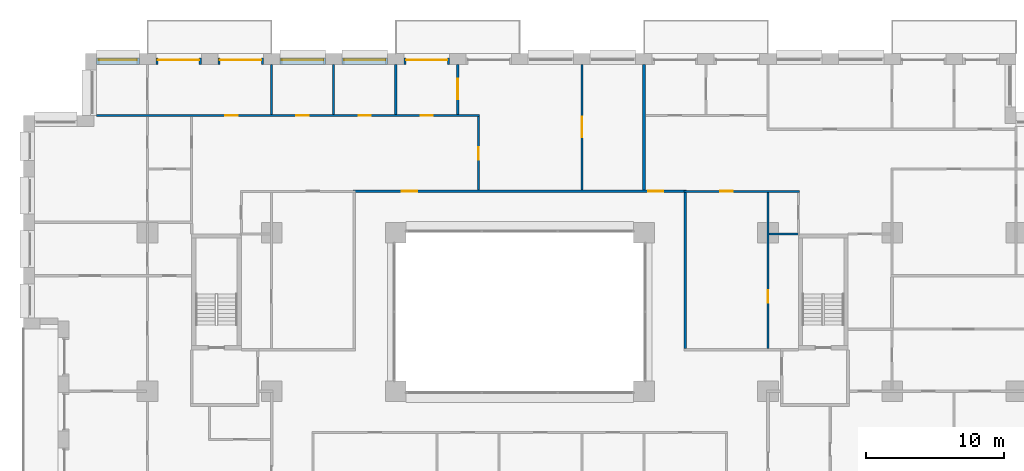
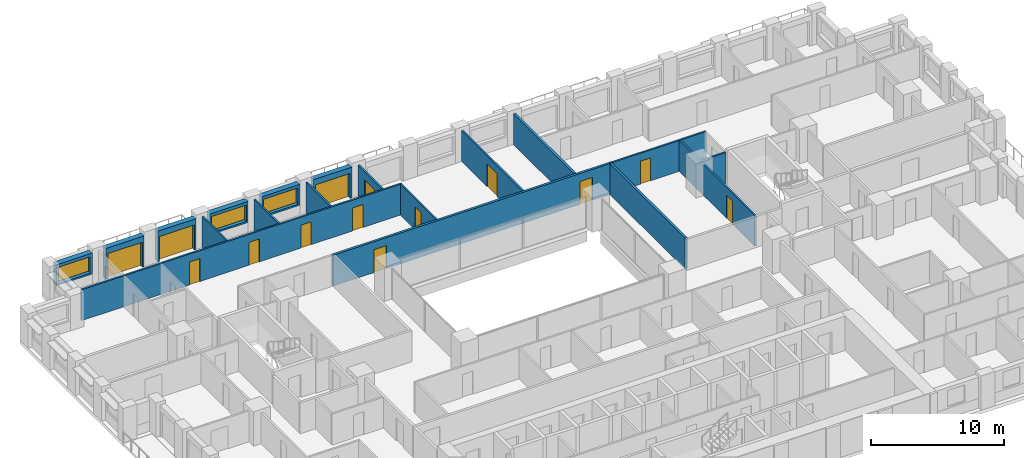
# One storey, part 15 of 21: 19 walls, 14 doors, 3 windows, 17 openings.
"""IFC4 building model written with IfcOpenShell, lengths in metres."""

from ifc_helpers import new_model, si_unit, direction, frame, frame_2d, origin, place, context, subcontext, project, spatial, rectangle, extrude, material, layer, layer_set, type_object, element, fill, save


model = new_model("IFC4")

# Units and contexts
model_context = context("Model", 3, precision=1e-05, world=origin(), true_north=direction((0.0, 1.0)))
body_context = subcontext(model_context, "Body", "Model", "MODEL_VIEW")
ifc_project = project(units=[si_unit("LENGTHUNIT", "METRE"), si_unit("AREAUNIT", "SQUARE_METRE"), si_unit("VOLUMEUNIT", "CUBIC_METRE"), si_unit("PLANEANGLEUNIT", "RADIAN"), si_unit("MASSUNIT", "GRAM", prefix="KILO")], contexts=[model_context])

# Site, building, storey
site_placement = place(None, origin())
site = spatial("IfcSite", under=ifc_project, at=site_placement, CompositionType="ELEMENT")
building_placement = place(site_placement, origin())
building = spatial("IfcBuilding", under=site, at=building_placement, Name="Brigalow Station Residences", CompositionType="ELEMENT")
storey_placement = place(building_placement, frame((0.0, 0.0, 47.85009765625)))
storey = spatial("IfcBuildingStorey", under=building, at=storey_placement, Name="L13", CompositionType="ELEMENT", Elevation=47.85009765625)

# Wall, opening, door
ifc_material_1 = material(Name="Clay brick masonry", Category="masonry")
ifc_layer_1 = layer(ifc_material_1, 0.449951171875)
ifc_layer_set_1 = layer_set([ifc_layer_1], Name="BRICK INFILL WALL 450")
wall_type_1 = type_object("IfcWallType", Name="BRICK INFILL WALL 450", PredefinedType="SOLIDWALL", material=ifc_layer_set_1)
wall_1_placement = place(storey_placement, frame((30.89990234375, 47.925048828125, 0.0), z_axis=(0.0, 0.0, 1.0), x_axis=(-1.0, 0.0, 0.0)))
wall_1 = element("IfcWall", 1, at=wall_1_placement, inside=storey, type_object=wall_type_1, Name="L13/ewall/W-L13-34", PredefinedType="SOLIDWALL", context=body_context, shape_type="SweptSolid", body=[
    extrude(rectangle(XDim=3.2998046875, YDim=0.449951171875, at=frame_2d((1.64990234375, 0.0))), origin(), (0.0, 0.0, 1.0), 2.829833984375),
])
opening_1_placement = place(wall_1_placement, frame((0.14990234375, 0.0, 0.0)))
opening_1 = element("IfcOpeningElement", 2, at=opening_1_placement, cuts=wall_1, Name="Opening D-B3000", PredefinedType="OPENING", context=body_context, shape_type="SweptSolid", body=[
    extrude(rectangle(XDim=3.0, YDim=2.300048828125, at=frame_2d((1.5, 1.14990234375))), frame((0.0, 0.23486328125, 0.0), z_axis=(0.0, -1.0, 0.0), x_axis=(1.0, 0.0, 0.0)), (0.0, 0.0, 1.0), 0.469970703125),
])
ifc_material_2 = material(Name="Anodised aluminium frame with double glazing", Category="aluminium")
door_type_1 = type_object("IfcDoorType", Name="BALCONY SLIDING DOOR 3000x2300", OperationType="SLIDING_TO_LEFT", PredefinedType="DOOR", material=ifc_material_2)
door_1_placement = place(opening_1_placement, origin())
door_1 = element("IfcDoor", 3, at=door_1_placement, inside=storey, type_object=door_type_1, Name="L13/balcony-door/W-L13-34", OperationType="SLIDING_TO_LEFT", OverallHeight=2.300048828125, OverallWidth=3.0, PredefinedType="DOOR", context=body_context, shape_type="SweptSolid", body=[
    extrude(rectangle(XDim=3.0, YDim=2.300048828125, at=frame_2d((1.5, 1.14990234375))), frame((0.0, -0.06982421875, 0.0), z_axis=(0.0, -1.0, 0.0), x_axis=(1.0, 0.0, 0.0)), (0.0, 0.0, 1.0), 0.050048828125),
])
fill(opening_1, door_1)

# Wall, opening, window
wall_2_placement = place(storey_placement, frame((26.39990234375, 47.925048828125, 0.89990234375), z_axis=(0.0, 0.0, 1.0), x_axis=(-1.0, 0.0, 0.0)))
wall_2 = element("IfcWall", 4, at=wall_2_placement, inside=storey, type_object=wall_type_1, Name="L13/ewall/W-L13-35", PredefinedType="SOLIDWALL", context=body_context, shape_type="SweptSolid", body=[
    extrude(rectangle(XDim=3.2998046875, YDim=0.449951171875, at=frame_2d((1.64990234375, 0.0))), origin(), (0.0, 0.0, 1.0), 1.929931640625),
])
opening_2_placement = place(wall_2_placement, frame((0.14990234375, 0.0, 0.14990234375)))
opening_2 = element("IfcOpeningElement", 5, at=opening_2_placement, cuts=wall_2, Name="Opening WT-2", PredefinedType="OPENING", context=body_context, shape_type="SweptSolid", body=[
    extrude(rectangle(XDim=3.0, YDim=1.5, at=frame_2d((1.5, 0.75))), frame((0.0, 0.23486328125, 0.0), z_axis=(0.0, -1.0, 0.0), x_axis=(1.0, 0.0, 0.0)), (0.0, 0.0, 1.0), 0.469970703125),
])
ifc_material_3 = material(Name="Anodised aluminium frame with double glazing", Category="aluminium")
window_type_1 = type_object("IfcWindowType", Name="WINDOW 3000x1500", PartitioningType="SINGLE_PANEL", PredefinedType="WINDOW", material=ifc_material_3)
window_1_placement = place(opening_2_placement, origin())
window_1 = element("IfcWindow", 6, at=window_1_placement, inside=storey, type_object=window_type_1, Name="L13/window/W-L13-35", OverallHeight=1.5, OverallWidth=3.0, PartitioningType="SINGLE_PANEL", PredefinedType="WINDOW", context=body_context, shape_type="SweptSolid", body=[
    extrude(rectangle(XDim=3.0, YDim=1.5, at=frame_2d((1.5, 0.75))), frame((0.0, -0.06494140625, 0.0), z_axis=(0.0, -1.0, 0.0), x_axis=(1.0, 0.0, 0.0)), (0.0, 0.0, 1.0), 0.06005859375),
])
fill(opening_2, window_1)

wall_3_placement = place(storey_placement, frame((21.89990234375, 47.925048828125, 0.89990234375), z_axis=(0.0, 0.0, 1.0), x_axis=(-1.0, 0.0, 0.0)))
wall_3 = element("IfcWall", 7, at=wall_3_placement, inside=storey, type_object=wall_type_1, Name="L13/ewall/W-L13-36", PredefinedType="SOLIDWALL", context=body_context, shape_type="SweptSolid", body=[
    extrude(rectangle(XDim=3.2998046875, YDim=0.449951171875, at=frame_2d((1.64990234375, 0.0))), origin(), (0.0, 0.0, 1.0), 1.929931640625),
])
opening_3_placement = place(wall_3_placement, frame((0.14990234375, 0.0, 0.14990234375)))
opening_3 = element("IfcOpeningElement", 8, at=opening_3_placement, cuts=wall_3, Name="Opening WT-2", PredefinedType="OPENING", context=body_context, shape_type="SweptSolid", body=[
    extrude(rectangle(XDim=3.0, YDim=1.5, at=frame_2d((1.5, 0.75))), frame((0.0, 0.23486328125, 0.0), z_axis=(0.0, -1.0, 0.0), x_axis=(1.0, 0.0, 0.0)), (0.0, 0.0, 1.0), 0.469970703125),
])
window_2_placement = place(opening_3_placement, origin())
window_2 = element("IfcWindow", 9, at=window_2_placement, inside=storey, type_object=window_type_1, Name="L13/window/W-L13-36", OverallHeight=1.5, OverallWidth=3.0, PartitioningType="SINGLE_PANEL", PredefinedType="WINDOW", context=body_context, shape_type="SweptSolid", body=[
    extrude(rectangle(XDim=3.0, YDim=1.5, at=frame_2d((1.5, 0.75))), frame((0.0, -0.06494140625, 0.0), z_axis=(0.0, -1.0, 0.0), x_axis=(1.0, 0.0, 0.0)), (0.0, 0.0, 1.0), 0.06005859375),
])
fill(opening_3, window_2)

# Wall, opening, door
wall_4_placement = place(storey_placement, frame((17.39990234375, 47.925048828125, 0.0), z_axis=(0.0, 0.0, 1.0), x_axis=(-1.0, 0.0, 0.0)))
wall_4 = element("IfcWall", 10, at=wall_4_placement, inside=storey, type_object=wall_type_1, Name="L13/ewall/W-L13-37", PredefinedType="SOLIDWALL", context=body_context, shape_type="SweptSolid", body=[
    extrude(rectangle(XDim=3.2998046875, YDim=0.449951171875, at=frame_2d((1.64990234375, 0.0))), origin(), (0.0, 0.0, 1.0), 2.829833984375),
])
opening_4_placement = place(wall_4_placement, frame((0.14990234375, 0.0, 0.0)))
opening_4 = element("IfcOpeningElement", 11, at=opening_4_placement, cuts=wall_4, Name="Opening D-B3000", PredefinedType="OPENING", context=body_context, shape_type="SweptSolid", body=[
    extrude(rectangle(XDim=3.0, YDim=2.300048828125, at=frame_2d((1.5, 1.14990234375))), frame((0.0, 0.23486328125, 0.0), z_axis=(0.0, -1.0, 0.0), x_axis=(1.0, 0.0, 0.0)), (0.0, 0.0, 1.0), 0.469970703125),
])
door_2_placement = place(opening_4_placement, origin())
door_2 = element("IfcDoor", 12, at=door_2_placement, inside=storey, type_object=door_type_1, Name="L13/balcony-door/W-L13-37", OperationType="SLIDING_TO_LEFT", OverallHeight=2.300048828125, OverallWidth=3.0, PredefinedType="DOOR", context=body_context, shape_type="SweptSolid", body=[
    extrude(rectangle(XDim=3.0, YDim=2.300048828125, at=frame_2d((1.5, 1.14990234375))), frame((0.0, -0.06982421875, 0.0), z_axis=(0.0, -1.0, 0.0), x_axis=(1.0, 0.0, 0.0)), (0.0, 0.0, 1.0), 0.050048828125),
])
fill(opening_4, door_2)

wall_5_placement = place(storey_placement, frame((12.89990234375, 47.925048828125, 0.0), z_axis=(0.0, 0.0, 1.0), x_axis=(-1.0, 0.0, 0.0)))
wall_5 = element("IfcWall", 13, at=wall_5_placement, inside=storey, type_object=wall_type_1, Name="L13/ewall/W-L13-38", PredefinedType="SOLIDWALL", context=body_context, shape_type="SweptSolid", body=[
    extrude(rectangle(XDim=3.2998046875, YDim=0.449951171875, at=frame_2d((1.64990234375, 0.0))), origin(), (0.0, 0.0, 1.0), 2.829833984375),
])
opening_5_placement = place(wall_5_placement, frame((0.14990234375, 0.0, 0.0)))
opening_5 = element("IfcOpeningElement", 14, at=opening_5_placement, cuts=wall_5, Name="Opening D-B3000", PredefinedType="OPENING", context=body_context, shape_type="SweptSolid", body=[
    extrude(rectangle(XDim=3.0, YDim=2.300048828125, at=frame_2d((1.5, 1.14990234375))), frame((0.0, 0.23486328125, 0.0), z_axis=(0.0, -1.0, 0.0), x_axis=(1.0, 0.0, 0.0)), (0.0, 0.0, 1.0), 0.469970703125),
])
door_3_placement = place(opening_5_placement, origin())
door_3 = element("IfcDoor", 15, at=door_3_placement, inside=storey, type_object=door_type_1, Name="L13/balcony-door/W-L13-38", OperationType="SLIDING_TO_LEFT", OverallHeight=2.300048828125, OverallWidth=3.0, PredefinedType="DOOR", context=body_context, shape_type="SweptSolid", body=[
    extrude(rectangle(XDim=3.0, YDim=2.300048828125, at=frame_2d((1.5, 1.14990234375))), frame((0.0, -0.06982421875, 0.0), z_axis=(0.0, -1.0, 0.0), x_axis=(1.0, 0.0, 0.0)), (0.0, 0.0, 1.0), 0.050048828125),
])
fill(opening_5, door_3)

# Wall, opening, window
wall_6_placement = place(storey_placement, frame((8.39990234375, 47.925048828125, 0.89990234375), z_axis=(0.0, 0.0, 1.0), x_axis=(-1.0, 0.0, 0.0)))
wall_6 = element("IfcWall", 16, at=wall_6_placement, inside=storey, type_object=wall_type_1, Name="L13/ewall/W-L13-39", PredefinedType="SOLIDWALL", context=body_context, shape_type="SweptSolid", body=[
    extrude(rectangle(XDim=3.099853515625, YDim=0.449951171875, at=frame_2d((1.5498046875, 0.0))), origin(), (0.0, 0.0, 1.0), 1.929931640625),
])
opening_6_placement = place(wall_6_placement, frame((0.175048828125, 0.0, 0.14990234375)))
opening_6 = element("IfcOpeningElement", 17, at=opening_6_placement, cuts=wall_6, Name="Opening WT-3", PredefinedType="OPENING", context=body_context, shape_type="SweptSolid", body=[
    extrude(rectangle(XDim=2.75, YDim=1.5, at=frame_2d((1.375, 0.75))), frame((0.0, 0.23486328125, 0.0), z_axis=(0.0, -1.0, 0.0), x_axis=(1.0, 0.0, 0.0)), (0.0, 0.0, 1.0), 0.469970703125),
])
ifc_material_4 = material(Name="Anodised aluminium frame with double glazing", Category="aluminium")
window_type_2 = type_object("IfcWindowType", Name="WINDOW 2750x1500", PartitioningType="SINGLE_PANEL", PredefinedType="WINDOW", material=ifc_material_4)
window_3_placement = place(opening_6_placement, origin())
window_3 = element("IfcWindow", 18, at=window_3_placement, inside=storey, type_object=window_type_2, Name="L13/window/W-L13-39", OverallHeight=1.5, OverallWidth=2.75, PartitioningType="SINGLE_PANEL", PredefinedType="WINDOW", context=body_context, shape_type="SweptSolid", body=[
    extrude(rectangle(XDim=2.75, YDim=1.5, at=frame_2d((1.375, 0.75))), frame((0.0, -0.06494140625, 0.0), z_axis=(0.0, -1.0, 0.0), x_axis=(1.0, 0.0, 0.0)), (0.0, 0.0, 1.0), 0.06005859375),
])
fill(opening_6, window_3)

# Wall, opening, door
ifc_material_5 = material(Name="Plasterboard on steel stud partition", Category="steel")
ifc_layer_2 = layer(ifc_material_5, 0.14990234375)
ifc_layer_set_2 = layer_set([ifc_layer_2], Name="FLAT PARTITION 150")
wall_type_2 = type_object("IfcWallType", Name="FLAT PARTITION 150", PredefinedType="PARTITIONING", material=ifc_layer_set_2)
wall_7_placement = place(storey_placement, frame((47.89990234375, 38.5, 0.0), z_axis=(0.0, 0.0, 1.0), x_axis=(1.0, 0.0, 0.0)))
wall_7 = element("IfcWall", 19, at=wall_7_placement, inside=storey, type_object=wall_type_2, Name="PW-1D09", PredefinedType="PARTITIONING", context=body_context, shape_type="SweptSolid", body=[
    extrude(rectangle(XDim=8.375, YDim=0.14990234375, at=frame_2d((4.1875, 0.0))), origin(), (0.0, 0.0, 1.0), 2.829833984375),
])
opening_7_placement = place(wall_7_placement, frame((2.64990234375, 0.0, 0.0)))
opening_7 = element("IfcOpeningElement", 20, at=opening_7_placement, cuts=wall_7, Name="Opening D-1D39", PredefinedType="OPENING", context=body_context, shape_type="SweptSolid", body=[
    extrude(rectangle(XDim=0.89990234375, YDim=2.10009765625, at=frame_2d((0.449951171875, 1.050048828125))), frame((0.0, 0.0849609375, 0.0), z_axis=(0.0, -1.0, 0.0), x_axis=(1.0, 0.0, 0.0)), (0.0, 0.0, 1.0), 0.169921875),
])
ifc_material_6 = material(Name="Solid-core timber door leaf", Category="wood")
door_type_2 = type_object("IfcDoorType", Name="INTERNAL DOOR 900 x 2100", OperationType="SINGLE_SWING_LEFT", PredefinedType="DOOR", material=ifc_material_6)
door_4_placement = place(opening_7_placement, frame((0.89990234375, 0.0, 0.0), z_axis=(0.0, 0.0, 1.0), x_axis=(-1.0, 0.0, 0.0)))
door_4 = element("IfcDoor", 21, at=door_4_placement, inside=storey, type_object=door_type_2, Name="D-1D39", OperationType="SINGLE_SWING_RIGHT", OverallHeight=2.10009765625, OverallWidth=0.89990234375, PredefinedType="DOOR", context=body_context, shape_type="SweptSolid", body=[
    extrude(rectangle(XDim=0.89990234375, YDim=2.10009765625, at=frame_2d((0.449951171875, 1.050048828125))), frame((0.0, 0.02490234375, 0.0), z_axis=(0.0, -1.0, 0.0), x_axis=(1.0, 0.0, 0.0)), (0.0, 0.0, 1.0), 0.050048828125),
])
fill(opening_7, door_4)

# Wall, openings, doors
wall_8_placement = place(storey_placement, frame((5.300048828125, 44.0, 0.0), z_axis=(0.0, 0.0, 1.0), x_axis=(1.0, 0.0, 0.0)))
wall_8 = element("IfcWall", 22, at=wall_8_placement, inside=storey, type_object=wall_type_2, Name="PW-1D21", PredefinedType="PARTITIONING", context=body_context, shape_type="SweptSolid", body=[
    extrude(rectangle(XDim=27.77490234375, YDim=0.14990234375, at=frame_2d((13.887451171875, 0.0))), origin(), (0.0, 0.0, 1.0), 2.829833984375),
])
opening_8_placement = place(wall_8_placement, frame((14.5, 0.0, 0.0)))
opening_8 = element("IfcOpeningElement", 23, at=opening_8_placement, cuts=wall_8, Name="Opening D-1D18", PredefinedType="OPENING", context=body_context, shape_type="SweptSolid", body=[
    extrude(rectangle(XDim=0.89990234375, YDim=2.10009765625, at=frame_2d((0.449951171875, 1.050048828125))), frame((0.0, 0.0849609375, 0.0), z_axis=(0.0, -1.0, 0.0), x_axis=(1.0, 0.0, 0.0)), (0.0, 0.0, 1.0), 0.169921875),
])
opening_9_placement = place(wall_8_placement, frame((19.0, 0.0, 0.0)))
opening_9 = element("IfcOpeningElement", 24, at=opening_9_placement, cuts=wall_8, Name="Opening D-1D19", PredefinedType="OPENING", context=body_context, shape_type="SweptSolid", body=[
    extrude(rectangle(XDim=0.89990234375, YDim=2.10009765625, at=frame_2d((0.449951171875, 1.050048828125))), frame((0.0, 0.0849609375, 0.0), z_axis=(0.0, -1.0, 0.0), x_axis=(1.0, 0.0, 0.0)), (0.0, 0.0, 1.0), 0.169921875),
])
opening_10_placement = place(wall_8_placement, frame((9.35009765625, 0.0, 0.0)))
opening_10 = element("IfcOpeningElement", 25, at=opening_10_placement, cuts=wall_8, Name="Opening D-1D20", PredefinedType="OPENING", context=body_context, shape_type="SweptSolid", body=[
    extrude(rectangle(XDim=0.89990234375, YDim=2.10009765625, at=frame_2d((0.449951171875, 1.050048828125))), frame((0.0, 0.0849609375, 0.0), z_axis=(0.0, -1.0, 0.0), x_axis=(1.0, 0.0, 0.0)), (0.0, 0.0, 1.0), 0.169921875),
])
opening_11_placement = place(wall_8_placement, frame((23.5, 0.0, 0.0)))
opening_11 = element("IfcOpeningElement", 26, at=opening_11_placement, cuts=wall_8, Name="Opening D-1D30", PredefinedType="OPENING", context=body_context, shape_type="SweptSolid", body=[
    extrude(rectangle(XDim=0.89990234375, YDim=2.10009765625, at=frame_2d((0.449951171875, 1.050048828125))), frame((0.0, 0.0849609375, 0.0), z_axis=(0.0, -1.0, 0.0), x_axis=(1.0, 0.0, 0.0)), (0.0, 0.0, 1.0), 0.169921875),
])
door_5_placement = place(opening_8_placement, origin())
door_5 = element("IfcDoor", 27, at=door_5_placement, inside=storey, type_object=door_type_2, Name="D-1D18", OperationType="SINGLE_SWING_LEFT", OverallHeight=2.10009765625, OverallWidth=0.89990234375, PredefinedType="DOOR", context=body_context, shape_type="SweptSolid", body=[
    extrude(rectangle(XDim=0.89990234375, YDim=2.10009765625, at=frame_2d((0.449951171875, 1.050048828125))), frame((0.0, 0.02490234375, 0.0), z_axis=(0.0, -1.0, 0.0), x_axis=(1.0, 0.0, 0.0)), (0.0, 0.0, 1.0), 0.050048828125),
])
fill(opening_8, door_5)
door_6_placement = place(opening_9_placement, origin())
door_6 = element("IfcDoor", 28, at=door_6_placement, inside=storey, type_object=door_type_2, Name="D-1D19", OperationType="SINGLE_SWING_RIGHT", OverallHeight=2.10009765625, OverallWidth=0.89990234375, PredefinedType="DOOR", context=body_context, shape_type="SweptSolid", body=[
    extrude(rectangle(XDim=0.89990234375, YDim=2.10009765625, at=frame_2d((0.449951171875, 1.050048828125))), frame((0.0, 0.02490234375, 0.0), z_axis=(0.0, -1.0, 0.0), x_axis=(1.0, 0.0, 0.0)), (0.0, 0.0, 1.0), 0.050048828125),
])
fill(opening_9, door_6)
door_7_placement = place(opening_10_placement, origin())
door_7 = element("IfcDoor", 29, at=door_7_placement, inside=storey, type_object=door_type_2, Name="D-1D20", OperationType="SINGLE_SWING_RIGHT", OverallHeight=2.10009765625, OverallWidth=0.89990234375, PredefinedType="DOOR", context=body_context, shape_type="SweptSolid", body=[
    extrude(rectangle(XDim=0.89990234375, YDim=2.10009765625, at=frame_2d((0.449951171875, 1.050048828125))), frame((0.0, 0.02490234375, 0.0), z_axis=(0.0, -1.0, 0.0), x_axis=(1.0, 0.0, 0.0)), (0.0, 0.0, 1.0), 0.050048828125),
])
fill(opening_10, door_7)
door_8_placement = place(opening_11_placement, origin())
door_8 = element("IfcDoor", 30, at=door_8_placement, inside=storey, type_object=door_type_2, Name="D-1D30", OperationType="SINGLE_SWING_RIGHT", OverallHeight=2.10009765625, OverallWidth=0.89990234375, PredefinedType="DOOR", context=body_context, shape_type="SweptSolid", body=[
    extrude(rectangle(XDim=0.89990234375, YDim=2.10009765625, at=frame_2d((0.449951171875, 1.050048828125))), frame((0.0, 0.02490234375, 0.0), z_axis=(0.0, -1.0, 0.0), x_axis=(1.0, 0.0, 0.0)), (0.0, 0.0, 1.0), 0.050048828125),
])
fill(opening_11, door_8)

# Walls
wall_9_placement = place(storey_placement, frame((54.074951171875, 35.39990234375, 0.0), z_axis=(0.0, 0.0, 1.0), x_axis=(1.0, 0.0, 0.0)))
element("IfcWall", 31, at=wall_9_placement, inside=storey, type_object=wall_type_2, Name="PW-1D25", PredefinedType="PARTITIONING", context=body_context, shape_type="SweptSolid", body=[
    extrude(rectangle(XDim=2.125, YDim=0.14990234375, at=frame_2d((1.0625, 0.0))), origin(), (0.0, 0.0, 1.0), 2.829833984375),
])
wall_10_placement = place(storey_placement, frame((18.0, 44.074951171875, 0.0), z_axis=(0.0, 0.0, 1.0), x_axis=(0.0, 1.0, 0.0)))
element("IfcWall", 32, at=wall_10_placement, inside=storey, type_object=wall_type_2, Name="PW-1D37", PredefinedType="PARTITIONING", context=body_context, shape_type="SweptSolid", body=[
    extrude(rectangle(XDim=3.625, YDim=0.14990234375, at=frame_2d((1.8125, 0.0))), origin(), (0.0, 0.0, 1.0), 2.829833984375),
])

# Wall, opening, door
wall_11_placement = place(storey_placement, frame((54.0, 27.10009765625, 0.0), z_axis=(0.0, 0.0, 1.0), x_axis=(0.0, 1.0, 0.0)))
wall_11 = element("IfcWall", 33, at=wall_11_placement, inside=storey, type_object=wall_type_2, Name="PW-1D39", PredefinedType="PARTITIONING", context=body_context, shape_type="SweptSolid", body=[
    extrude(rectangle(XDim=11.324951171875, YDim=0.14990234375, at=frame_2d((5.66259765625, 0.0))), origin(), (0.0, 0.0, 1.0), 2.829833984375),
])
opening_12_placement = place(wall_11_placement, frame((3.324951171875, 0.0, 0.0)))
opening_12 = element("IfcOpeningElement", 34, at=opening_12_placement, cuts=wall_11, Name="Opening D-1D46", PredefinedType="OPENING", context=body_context, shape_type="SweptSolid", body=[
    extrude(rectangle(XDim=0.89990234375, YDim=2.10009765625, at=frame_2d((0.449951171875, 1.050048828125))), frame((0.0, 0.0849609375, 0.0), z_axis=(0.0, -1.0, 0.0), x_axis=(1.0, 0.0, 0.0)), (0.0, 0.0, 1.0), 0.169921875),
])
door_9_placement = place(opening_12_placement, frame((0.89990234375, 0.0, 0.0), z_axis=(0.0, 0.0, 1.0), x_axis=(-1.0, 0.0, 0.0)))
door_9 = element("IfcDoor", 35, at=door_9_placement, inside=storey, type_object=door_type_2, Name="D-1D46", OperationType="SINGLE_SWING_RIGHT", OverallHeight=2.10009765625, OverallWidth=0.89990234375, PredefinedType="DOOR", context=body_context, shape_type="SweptSolid", body=[
    extrude(rectangle(XDim=0.89990234375, YDim=2.10009765625, at=frame_2d((0.449951171875, 1.050048828125))), frame((0.0, 0.02490234375, 0.0), z_axis=(0.0, -1.0, 0.0), x_axis=(1.0, 0.0, 0.0)), (0.0, 0.0, 1.0), 0.050048828125),
])
fill(opening_12, door_9)

wall_12_placement = place(storey_placement, frame((33.0, 38.60009765625, 0.0), z_axis=(0.0, 0.0, 1.0), x_axis=(0.0, 1.0, 0.0)))
wall_12 = element("IfcWall", 36, at=wall_12_placement, inside=storey, type_object=wall_type_2, Name="PW-1D58", PredefinedType="PARTITIONING", context=body_context, shape_type="SweptSolid", body=[
    extrude(rectangle(XDim=5.324951171875, YDim=0.14990234375, at=frame_2d((2.66259765625, 0.0))), origin(), (0.0, 0.0, 1.0), 2.829833984375),
])
opening_13_placement = place(wall_12_placement, frame((2.199951171875, 0.0, 0.0)))
opening_13 = element("IfcOpeningElement", 37, at=opening_13_placement, cuts=wall_12, Name="Opening D-1D26", PredefinedType="OPENING", context=body_context, shape_type="SweptSolid", body=[
    extrude(rectangle(XDim=0.89990234375, YDim=2.10009765625, at=frame_2d((0.449951171875, 1.050048828125))), frame((0.0, 0.0849609375, 0.0), z_axis=(0.0, -1.0, 0.0), x_axis=(1.0, 0.0, 0.0)), (0.0, 0.0, 1.0), 0.169921875),
])
door_10_placement = place(opening_13_placement, frame((0.89990234375, 0.0, 0.0), z_axis=(0.0, 0.0, 1.0), x_axis=(-1.0, 0.0, 0.0)))
door_10 = element("IfcDoor", 38, at=door_10_placement, inside=storey, type_object=door_type_2, Name="D-1D26", OperationType="SINGLE_SWING_RIGHT", OverallHeight=2.10009765625, OverallWidth=0.89990234375, PredefinedType="DOOR", context=body_context, shape_type="SweptSolid", body=[
    extrude(rectangle(XDim=0.89990234375, YDim=2.10009765625, at=frame_2d((0.449951171875, 1.050048828125))), frame((0.0, 0.02490234375, 0.0), z_axis=(0.0, -1.0, 0.0), x_axis=(1.0, 0.0, 0.0)), (0.0, 0.0, 1.0), 0.050048828125),
])
fill(opening_13, door_10)

# Walls
for number, where, z_axis, x_axis, name in (
    (39, (22.5, 44.074951171875, 0.0), (0.0, 0.0, 1.0), (0.0, 1.0, 0.0), "PW-1D60"),
    (40, (27.0, 44.074951171875, 0.0), (0.0, 0.0, 1.0), (0.0, 1.0, 0.0), "PW-1D61"),
):
    element("IfcWall", number, at=place(storey_placement, frame(where, z_axis=z_axis, x_axis=x_axis)), inside=storey, type_object=wall_type_2, Name=name, PredefinedType="PARTITIONING", context=body_context, shape_type="SweptSolid", body=[
        extrude(rectangle(XDim=3.625, YDim=0.14990234375, at=frame_2d((1.8125, 0.0))), origin(), (0.0, 0.0, 1.0), 2.829833984375),
    ])

# Wall, opening, door
wall_13_placement = place(storey_placement, frame((31.5, 44.074951171875, 0.0), z_axis=(0.0, 0.0, 1.0), x_axis=(0.0, 1.0, 0.0)))
wall_13 = element("IfcWall", 41, at=wall_13_placement, inside=storey, type_object=wall_type_2, Name="PW-1D62", PredefinedType="PARTITIONING", context=body_context, shape_type="SweptSolid", body=[
    extrude(rectangle(XDim=3.625, YDim=0.14990234375, at=frame_2d((1.8125, 0.0))), origin(), (0.0, 0.0, 1.0), 2.829833984375),
])
opening_14_placement = place(wall_13_placement, frame((1.10009765625, 0.0, 0.0)))
opening_14 = element("IfcOpeningElement", 42, at=opening_14_placement, cuts=wall_13, Name="Opening D-1D27", PredefinedType="OPENING", context=body_context, shape_type="SweptSolid", body=[
    extrude(rectangle(XDim=1.5, YDim=2.10009765625, at=frame_2d((0.75, 1.050048828125))), frame((0.0, 0.0849609375, 0.0), z_axis=(0.0, -1.0, 0.0), x_axis=(1.0, 0.0, 0.0)), (0.0, 0.0, 1.0), 0.169921875),
])
ifc_material_7 = material(Name="Solid-core timber door leaf", Category="wood")
door_type_3 = type_object("IfcDoorType", Name="INTERNAL DOUBLE DOOR 1500 x 2100", OperationType="DOUBLE_DOOR_SINGLE_SWING", PredefinedType="DOOR", material=ifc_material_7)
door_11_placement = place(opening_14_placement, origin())
door_11 = element("IfcDoor", 43, at=door_11_placement, inside=storey, type_object=door_type_3, Name="D-1D27", OperationType="DOUBLE_DOOR_SINGLE_SWING", OverallHeight=2.10009765625, OverallWidth=1.5, PredefinedType="DOOR", context=body_context, shape_type="SweptSolid", body=[
    extrude(rectangle(XDim=1.5, YDim=2.10009765625, at=frame_2d((0.75, 1.050048828125))), frame((0.0, 0.02490234375, 0.0), z_axis=(0.0, -1.0, 0.0), x_axis=(1.0, 0.0, 0.0)), (0.0, 0.0, 1.0), 0.050048828125),
])
fill(opening_14, door_11)

wall_14_placement = place(storey_placement, frame((40.5, 38.60009765625, 0.0), z_axis=(0.0, 0.0, 1.0), x_axis=(0.0, 1.0, 0.0)))
wall_14 = element("IfcWall", 44, at=wall_14_placement, inside=storey, type_object=wall_type_2, Name="PW-1D64", PredefinedType="PARTITIONING", context=body_context, shape_type="SweptSolid", body=[
    extrude(rectangle(XDim=9.099853515625, YDim=0.14990234375, at=frame_2d((4.5498046875, 0.0))), origin(), (0.0, 0.0, 1.0), 2.829833984375),
])
opening_15_placement = place(wall_14_placement, frame((3.824951171875, 0.0, 0.0)))
opening_15 = element("IfcOpeningElement", 45, at=opening_15_placement, cuts=wall_14, Name="Opening D-1D28", PredefinedType="OPENING", context=body_context, shape_type="SweptSolid", body=[
    extrude(rectangle(XDim=1.5, YDim=2.10009765625, at=frame_2d((0.75, 1.050048828125))), frame((0.0, 0.0849609375, 0.0), z_axis=(0.0, -1.0, 0.0), x_axis=(1.0, 0.0, 0.0)), (0.0, 0.0, 1.0), 0.169921875),
])
door_12_placement = place(opening_15_placement, frame((1.5, 0.0, 0.0), z_axis=(0.0, 0.0, 1.0), x_axis=(-1.0, 0.0, 0.0)))
door_12 = element("IfcDoor", 46, at=door_12_placement, inside=storey, type_object=door_type_3, Name="D-1D28", OperationType="DOUBLE_DOOR_SINGLE_SWING", OverallHeight=2.10009765625, OverallWidth=1.5, PredefinedType="DOOR", context=body_context, shape_type="SweptSolid", body=[
    extrude(rectangle(XDim=1.5, YDim=2.10009765625, at=frame_2d((0.75, 1.050048828125))), frame((0.0, 0.02490234375, 0.0), z_axis=(0.0, -1.0, 0.0), x_axis=(1.0, 0.0, 0.0)), (0.0, 0.0, 1.0), 0.050048828125),
])
fill(opening_15, door_12)

# Wall, openings, doors
ifc_material_8 = material(Name="Plasterboard on steel stud partition", Category="steel")
ifc_layer_3 = layer(ifc_material_8, 0.199951171875)
ifc_layer_set_3 = layer_set([ifc_layer_3], Name="PARTY AND CORRIDOR WALL 200")
wall_type_3 = type_object("IfcWallType", Name="PARTY AND CORRIDOR WALL 200", PredefinedType="PARTITIONING", material=ifc_layer_set_3)
wall_15_placement = place(storey_placement, frame((23.89990234375, 38.5, 0.0), z_axis=(0.0, 0.0, 1.0), x_axis=(1.0, 0.0, 0.0)))
wall_15 = element("IfcWall", 47, at=wall_15_placement, inside=storey, type_object=wall_type_3, Name="PW-1D10", PredefinedType="PARTITIONING", context=body_context, shape_type="SweptSolid", body=[
    extrude(rectangle(XDim=24.2001953125, YDim=0.199951171875, at=frame_2d((12.10009765625, 0.0))), origin(), (0.0, 0.0, 1.0), 2.829833984375),
])
opening_16_placement = place(wall_15_placement, frame((3.550048828125, 0.0, 0.0)))
opening_16 = element("IfcOpeningElement", 48, at=opening_16_placement, cuts=wall_15, Name="Opening D-1D33", PredefinedType="OPENING", context=body_context, shape_type="SweptSolid", body=[
    extrude(rectangle(XDim=1.10009765625, YDim=2.10009765625, at=frame_2d((0.550048828125, 1.050048828125))), frame((0.0, 0.10986328125, 0.0), z_axis=(0.0, -1.0, 0.0), x_axis=(1.0, 0.0, 0.0)), (0.0, 0.0, 1.0), 0.219970703125),
])
opening_17_placement = place(wall_15_placement, frame((21.39990234375, 0.0, 0.0)))
opening_17 = element("IfcOpeningElement", 49, at=opening_17_placement, cuts=wall_15, Name="Opening D-1D48", PredefinedType="OPENING", context=body_context, shape_type="SweptSolid", body=[
    extrude(rectangle(XDim=1.10009765625, YDim=2.10009765625, at=frame_2d((0.550048828125, 1.050048828125))), frame((0.0, 0.10986328125, 0.0), z_axis=(0.0, -1.0, 0.0), x_axis=(1.0, 0.0, 0.0)), (0.0, 0.0, 1.0), 0.219970703125),
])
ifc_material_9 = material(Name="Solid-core timber door leaf", Category="wood")
door_type_4 = type_object("IfcDoorType", Name="FLAT ENTRANCE DOOR 1100 x 2100 FRL -/60/30", OperationType="SINGLE_SWING_LEFT", PredefinedType="DOOR", material=ifc_material_9)
door_13_placement = place(opening_16_placement, origin())
door_13 = element("IfcDoor", 50, at=door_13_placement, inside=storey, type_object=door_type_4, Name="D-1D33", OperationType="SINGLE_SWING_RIGHT", OverallHeight=2.10009765625, OverallWidth=1.10009765625, PredefinedType="DOOR", context=body_context, shape_type="SweptSolid", body=[
    extrude(rectangle(XDim=1.10009765625, YDim=2.10009765625, at=frame_2d((0.550048828125, 1.050048828125))), frame((0.0, 0.02490234375, 0.0), z_axis=(0.0, -1.0, 0.0), x_axis=(1.0, 0.0, 0.0)), (0.0, 0.0, 1.0), 0.050048828125),
])
fill(opening_16, door_13)
door_14_placement = place(opening_17_placement, origin())
door_14 = element("IfcDoor", 51, at=door_14_placement, inside=storey, type_object=door_type_4, Name="D-1D48", OperationType="SINGLE_SWING_LEFT", OverallHeight=2.10009765625, OverallWidth=1.10009765625, PredefinedType="DOOR", context=body_context, shape_type="SweptSolid", body=[
    extrude(rectangle(XDim=1.10009765625, YDim=2.10009765625, at=frame_2d((0.550048828125, 1.050048828125))), frame((0.0, 0.02490234375, 0.0), z_axis=(0.0, -1.0, 0.0), x_axis=(1.0, 0.0, 0.0)), (0.0, 0.0, 1.0), 0.050048828125),
])
fill(opening_17, door_14)

# Walls
wall_16_placement = place(storey_placement, frame((48.0, 27.10009765625, 0.0), z_axis=(0.0, 0.0, 1.0), x_axis=(0.0, 1.0, 0.0)))
element("IfcWall", 52, at=wall_16_placement, inside=storey, type_object=wall_type_3, Name="PW-1D45", PredefinedType="PARTITIONING", context=body_context, shape_type="SweptSolid", body=[
    extrude(rectangle(XDim=11.324951171875, YDim=0.199951171875, at=frame_2d((5.66259765625, 0.0))), origin(), (0.0, 0.0, 1.0), 2.829833984375),
])
wall_17_placement = place(storey_placement, frame((45.0, 38.60009765625, 0.0), z_axis=(0.0, 0.0, 1.0), x_axis=(0.0, 1.0, 0.0)))
element("IfcWall", 53, at=wall_17_placement, inside=storey, type_object=wall_type_3, Name="PW-1D66", PredefinedType="PARTITIONING", context=body_context, shape_type="SweptSolid", body=[
    extrude(rectangle(XDim=9.099853515625, YDim=0.199951171875, at=frame_2d((4.5498046875, 0.0))), origin(), (0.0, 0.0, 1.0), 2.829833984375),
])

save(model, "model.ifc")
